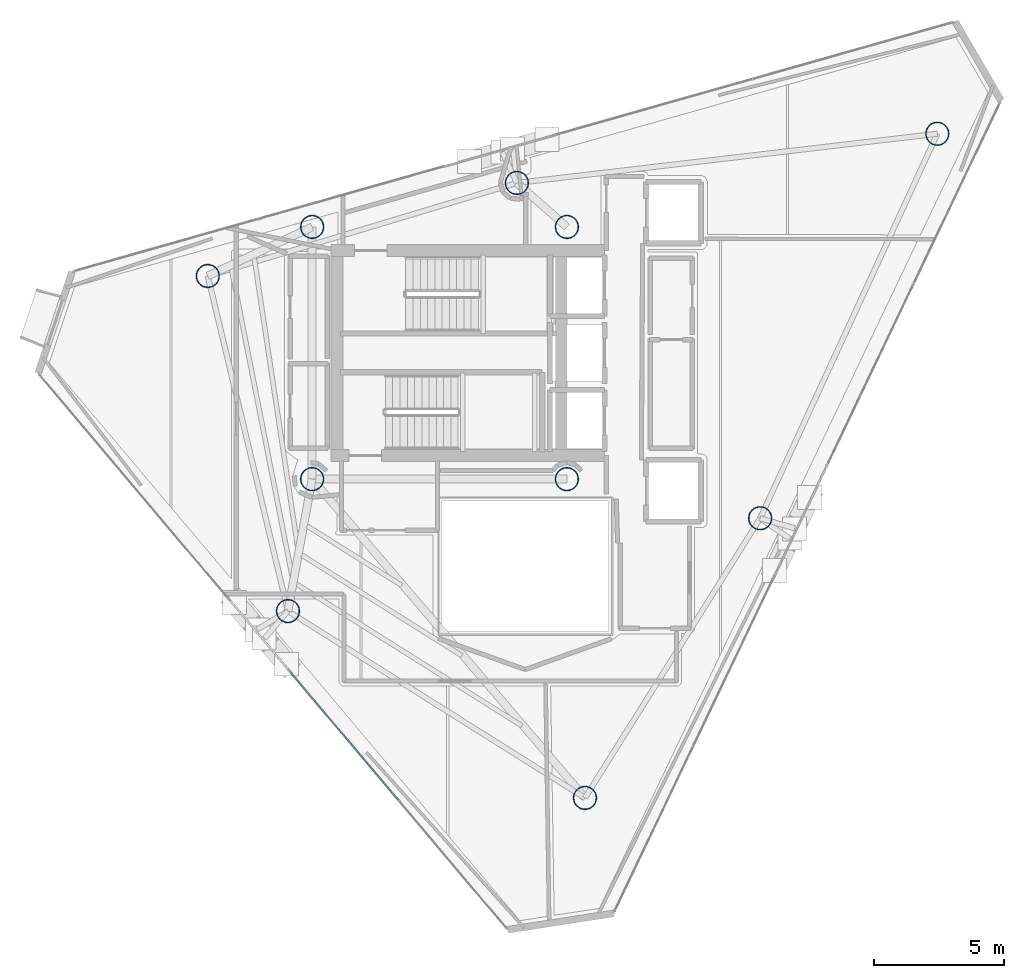
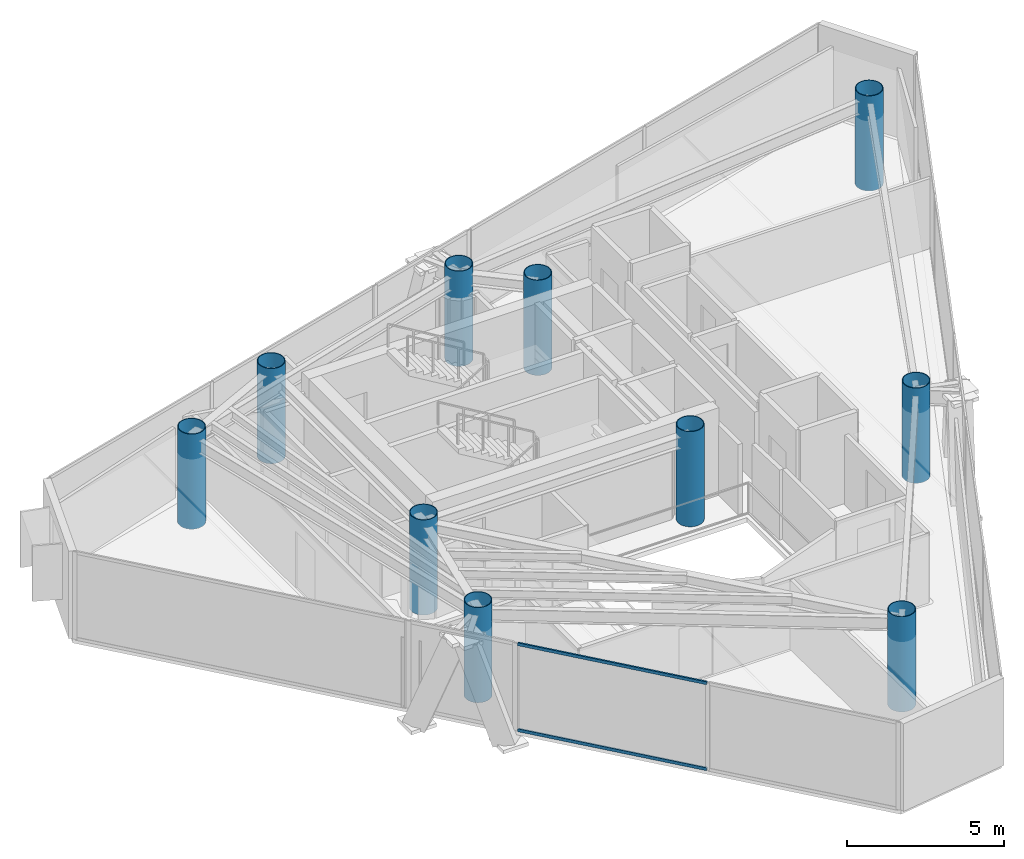
# One storey, part 1 of 20: 10 columns, 2 members, 1 element without a shape of its own.
"""IFC4 building model written with IfcOpenShell, lengths in metres."""

from ifc_helpers import new_model, si_unit, direction, frame, origin, origin_2d, place, context, subcontext, project, spatial, hollow_rectangle, hollow_circle, extrude, material, layer, layer_set, material_profile, profile_set, type_object, element, aggregate, save


model = new_model("IFC4")

# Units and contexts
model_context = context("Model", 3, precision=1e-05, world=origin(), true_north=direction((0.0, 1.0)))
body_context = subcontext(model_context, "Body", "Model", "MODEL_VIEW")
ifc_project = project(units=[si_unit("LENGTHUNIT", "METRE"), si_unit("AREAUNIT", "SQUARE_METRE"), si_unit("VOLUMEUNIT", "CUBIC_METRE"), si_unit("PLANEANGLEUNIT", "RADIAN"), si_unit("MASSUNIT", "GRAM", prefix="KILO")], contexts=[model_context])

# Site, building, storey
site_placement = place(None, origin())
site = spatial("IfcSite", under=ifc_project, at=site_placement, CompositionType="ELEMENT")
building_placement = place(site_placement, origin())
building = spatial("IfcBuilding", under=site, at=building_placement, Name="Qianvela Tower", CompositionType="ELEMENT")
storey_placement = place(building_placement, frame((0.0, 0.0, 317.60009765625)))
storey = spatial("IfcBuildingStorey", under=building, at=storey_placement, Name="L82", CompositionType="ELEMENT", Elevation=317.60009765625)

# Columns
ifc_material_1 = material(Name="Steel Q420GJC", Category="steel")
ifc_material_profile_1 = material_profile(ifc_material_1, hollow_circle(Radius=0.449951171875, WallThickness=0.02490234375, at=origin_2d()), Name="CFT-900x25")
ifc_profile_set_1 = profile_set([ifc_material_profile_1], Name="Steel Q420GJC")
column_type = type_object("IfcColumnType", Name="COL-CFT-900x25", PredefinedType="COLUMN", material=ifc_profile_set_1)
for number, where, z_axis, x_axis, name in (
    (1, (28.60009765625, 33.550048828125, 0.0), (0.0, 0.0, 1.0), (1.0, 0.0, 0.0), "L82 Core Corner Mega-Column CC-NW"),
    (2, (28.60009765625, 23.85009765625, 0.0), (0.0, 0.0, 1.0), (1.0, 0.0, 0.0), "L82 Core Corner Mega-Column CC-SW"),
    (3, (38.39990234375, 33.550048828125, 0.0), (0.0, 0.0, 1.0), (1.0, 0.0, 0.0), "L82 Core Corner Mega-Column CC-NE"),
    (4, (38.39990234375, 23.85009765625, 0.0), (0.0, 0.0, 1.0), (1.0, 0.0, 0.0), "L82 Core Corner Mega-Column CC-SE"),
    (5, (52.64794921875, 37.135009765625, 0.0), (0.0, 0.0, 1.0), (1.0, 0.0, 0.0), "L82 Zone Z7 CFT Mega-Column C1"),
    (6, (36.47607421875, 35.242919921875, 0.0), (0.0, 0.0, 1.0), (1.0, 0.0, 0.0), "L82 Zone Z7 CFT Mega-Column C2"),
    (7, (24.5869140625, 31.6630859375, 0.0), (0.0, 0.0, 1.0), (1.0, 0.0, 0.0), "L82 Zone Z7 CFT Mega-Column C3"),
    (8, (27.669921875, 18.77392578125, 0.0), (0.0, 0.0, 1.0), (1.0, 0.0, 0.0), "L82 Zone Z7 CFT Mega-Column C4"),
    (9, (39.095947265625, 11.587890625, 0.0), (0.0, 0.0, 1.0), (1.0, 0.0, 0.0), "L82 Zone Z7 CFT Mega-Column C5"),
    (10, (45.833984375, 22.344970703125, 0.0), (0.0, 0.0, 1.0), (1.0, 0.0, 0.0), "L82 Zone Z7 CFT Mega-Column C6"),
):
    element("IfcColumn", number, at=place(storey_placement, frame(where, z_axis=z_axis, x_axis=x_axis)), inside=storey, type_object=column_type, Name=name, PredefinedType="COLUMN", context=body_context, shape_type="SweptSolid", body=[
        extrude(hollow_circle(Radius=0.449951171875, WallThickness=0.02490234375, at=origin_2d()), origin(), (0.0, 0.0, 1.0), 3.699951171875),
    ])

# Curtain wall, members
ifc_material_2 = material(Name="Anodised Architectural Aluminium and Low-E Glass", Category="aluminium")
ifc_layer = layer(ifc_material_2, 0.14990234375)
ifc_layer_set = layer_set([ifc_layer], Name="Anodised Architectural Aluminium and Low-E Glass")
curtain_wall_type = type_object("IfcCurtainWallType", Name="CW-COLIV-Z78", PredefinedType="USERDEFINED", material=ifc_layer_set)
curtain_wall_placement = place(storey_placement, origin())
curtain_wall = element("IfcCurtainWall", 11, at=curtain_wall_placement, inside=storey, type_object=curtain_wall_type, Name="L82 CW-COLIV-Z78 Curtain Wall 04C", ObjectType="CURTAIN_WALL_SYSTEM", PredefinedType="USERDEFINED")
ifc_material_3 = material(Name="Anodised Architectural Aluminium 6063-T6", Category="aluminium")
ifc_material_profile_2 = material_profile(ifc_material_3, hollow_rectangle(XDim=0.06005859375, YDim=0.114990234375, WallThickness=0.00390625, at=origin_2d()), Name="ALU-TRAN-60x115")
ifc_profile_set_2 = profile_set([ifc_material_profile_2], Name="Anodised Architectural Aluminium 6063-T6")
member_type = type_object("IfcMemberType", Name="CW-COLIV-Z78-TRAN", PredefinedType="USERDEFINED", material=ifc_profile_set_2)
member_1_placement = place(storey_placement, frame((27.780029296875, 16.412841796875, 0.02978515625), z_axis=(0.644943450326, -0.764230296365, 0.0), x_axis=(0.764230296365, 0.644943450326, 0.0)))
member_1 = element("IfcMember", 12, at=member_1_placement, type_object=member_type, Name="CW-6 transom 1.1", ObjectType="TRANSOM", PredefinedType="USERDEFINED", context=body_context, shape_type="SweptSolid", body=[
    extrude(hollow_rectangle(XDim=0.06005859375, YDim=0.114990234375, WallThickness=0.00390625, at=origin_2d()), origin(), (0.0, 0.0, 1.0), 6.391845703125),
])
member_2_placement = place(storey_placement, frame((27.780029296875, 16.412841796875, 3.369873046875), z_axis=(0.644943450326, -0.764230296365, 0.0), x_axis=(0.764230296365, 0.644943450326, 0.0)))
member_2 = element("IfcMember", 13, at=member_2_placement, type_object=member_type, Name="CW-6 transom 1.2", ObjectType="TRANSOM", PredefinedType="USERDEFINED", context=body_context, shape_type="SweptSolid", body=[
    extrude(hollow_rectangle(XDim=0.06005859375, YDim=0.114990234375, WallThickness=0.00390625, at=origin_2d()), origin(), (0.0, 0.0, 1.0), 6.391845703125),
])
aggregate(curtain_wall, [member_1, member_2])

save(model, "model.ifc")
